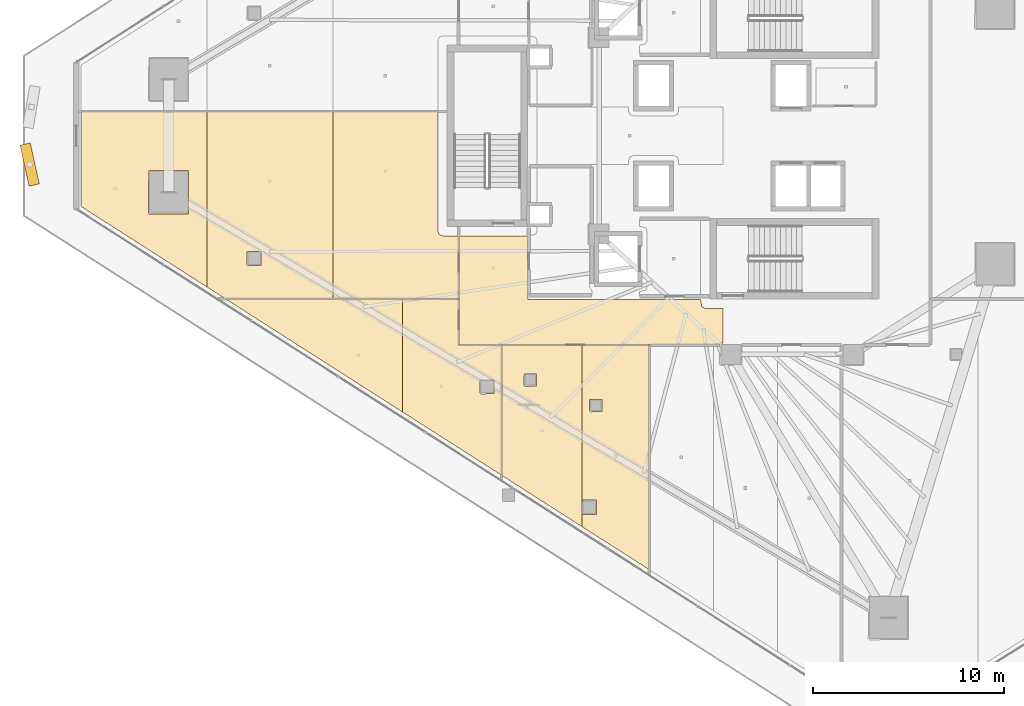
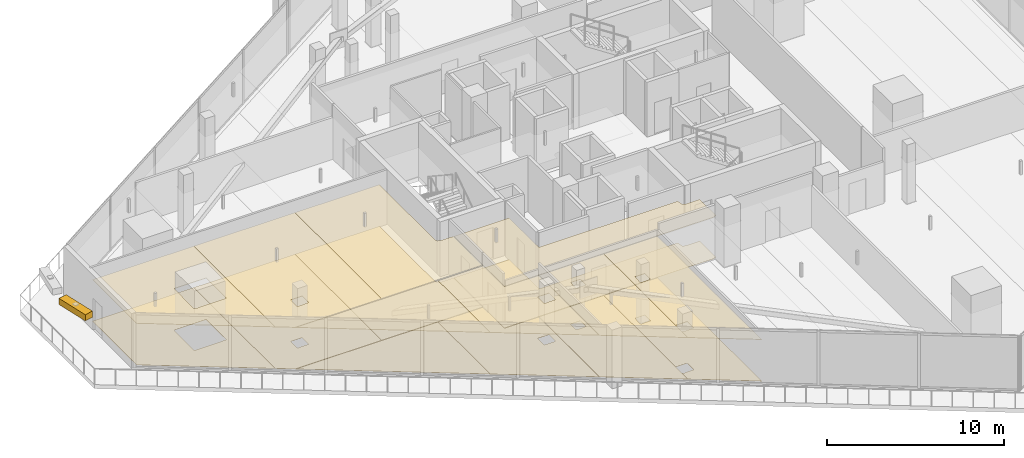
# One storey, part 37 of 45: 16 coverings, 1 shading device.
"""IFC4 building model written with IfcOpenShell, lengths in metres."""

from ifc_helpers import new_model, si_unit, direction, frame, origin, origin_2d, place, context, subcontext, project, spatial, polyline, rectangle, outline, extrude, material, layer, layer_set, type_object, element, save


model = new_model("IFC4")

# Units and contexts
model_context = context("Model", 3, precision=1e-05, world=origin(), true_north=direction((0.0, 1.0)))
body_context = subcontext(model_context, "Body", "Model", "MODEL_VIEW")
ifc_project = project(units=[si_unit("LENGTHUNIT", "METRE"), si_unit("AREAUNIT", "SQUARE_METRE"), si_unit("VOLUMEUNIT", "CUBIC_METRE"), si_unit("PLANEANGLEUNIT", "RADIAN"), si_unit("MASSUNIT", "GRAM", prefix="KILO")], contexts=[model_context])

# Site, building, storey
site_placement = place(None, origin())
site = spatial("IfcSite", under=ifc_project, at=site_placement, CompositionType="ELEMENT")
building_placement = place(site_placement, origin())
building = spatial("IfcBuilding", under=site, at=building_placement, Name="Qorvath Tower", CompositionType="ELEMENT")
storey_placement = place(building_placement, frame((0.0, 0.0, 126.0)))
storey = spatial("IfcBuildingStorey", under=building, at=storey_placement, Name="L28", CompositionType="ELEMENT", Elevation=126.0)

# Coverings
ifc_material_1 = material(Name="Acoustic mineral fibre ceiling tile", Category="gypsum")
ifc_layer_1 = layer(ifc_material_1, 0.030029296875)
ifc_layer_set_1 = layer_set([ifc_layer_1], Name="COV-CEIL")
covering_type_1 = type_object("IfcCoveringType", Name="COV-CEIL", PredefinedType="CEILING", material=ifc_layer_set_1)
covering_1_placement = place(storey_placement, frame((0.0, 0.0, 2.85009765625)))
element("IfcCovering", 1, at=covering_1_placement, inside=storey, type_object=covering_type_1, Name="L28 Suspended Acoustic Ceiling 006", PredefinedType="CEILING", context=body_context, shape_type="SweptSolid", body=[
    extrude(outline(polyline([(-34.22509765625, -8.580078125), (-34.251220703125, -5.239990234375), (-37.844970703125, -5.239990234375), (-37.844970703125, -10.945068359375), (-24.18505859375, -10.945068359375), (-24.125, -10.864990234375), (-24.02001953125, -10.864990234375), (-24.02001953125, -9.0400390625), (-24.93994140625, -9.0400390625), (-25.11669921875, -8.966796875), (-25.18994140625, -8.57421875), (-34.22509765625, -8.580078125)])), origin(), (0.0, 0.0, 1.0), 0.030029296875),
])
covering_2_placement = place(storey_placement, frame((0.0, 0.0, 2.85009765625)))
element("IfcCovering", 2, at=covering_2_placement, inside=storey, type_object=covering_type_1, Name="L28 Suspended Acoustic Ceiling 015", PredefinedType="CEILING", context=body_context, shape_type="SweptSolid", body=[
    extrude(outline(polyline([(-50.07763671875, -8.541015625), (-40.80517578125, -14.4658203125), (-40.80517578125, -8.551513671875), (-50.07763671875, -8.541015625)])), origin(), (0.0, 0.0, 1.0), 0.030029296875),
])
covering_3_placement = place(storey_placement, frame((0.0, 0.0, 2.85009765625)))
element("IfcCovering", 3, at=covering_3_placement, inside=storey, type_object=covering_type_1, Name="L28 Suspended Acoustic Ceiling 016", PredefinedType="CEILING", context=body_context, shape_type="SweptSolid", body=[
    extrude(outline(polyline([(-40.80517578125, -8.551513671875), (-40.80517578125, -14.4658203125), (-35.62060546875, -17.778564453125), (-35.62060546875, -10.962890625), (-37.861572265625, -10.96142578125), (-37.863037109375, -8.554931640625), (-40.80517578125, -8.551513671875)]), holes=[polyline([(-36.749755859375, -13.46044921875), (-36.732177734375, -12.76806640625), (-35.997314453125, -12.76806640625), (-35.997314453125, -13.5029296875), (-36.689697265625, -13.5205078125), (-36.749755859375, -13.46044921875)])]), origin(), (0.0, 0.0, 1.0), 0.030029296875),
])
covering_4_placement = place(storey_placement, frame((0.0, 0.0, 2.85009765625)))
element("IfcCovering", 4, at=covering_4_placement, inside=storey, type_object=covering_type_1, Name="L28 Suspended Acoustic Ceiling 017", PredefinedType="CEILING", context=body_context, shape_type="SweptSolid", body=[
    extrude(outline(polyline([(-35.6025390625, -10.962890625), (-35.6025390625, -17.7900390625), (-31.39306640625, -20.48046875), (-31.39306640625, -19.79345703125), (-31.401123046875, -19.785400390625), (-31.39306640625, -19.46728515625), (-31.39306640625, -10.962890625), (-35.6025390625, -10.962890625)]), holes=[polyline([(-34.439208984375, -13.0673828125), (-34.421630859375, -12.47509765625), (-33.786865234375, -12.47509765625), (-33.786865234375, -13.10986328125), (-34.379150390625, -13.12744140625), (-34.439208984375, -13.0673828125)])]), origin(), (0.0, 0.0, 1.0), 0.030029296875),
])
covering_5_placement = place(storey_placement, frame((0.0, 0.0, 2.85009765625)))
element("IfcCovering", 5, at=covering_5_placement, inside=storey, type_object=covering_type_1, Name="L28 Suspended Acoustic Ceiling 018", PredefinedType="CEILING", context=body_context, shape_type="SweptSolid", body=[
    extrude(outline(polyline([(-31.39306640625, -10.962890625), (-31.39306640625, -19.46728515625), (-31.383544921875, -19.093017578125), (-30.648681640625, -19.093017578125), (-30.648681640625, -19.827880859375), (-31.341064453125, -19.845458984375), (-31.39306640625, -19.79345703125), (-31.39306640625, -20.48046875), (-27.8837890625, -22.723388671875), (-27.8837890625, -10.962890625), (-31.39306640625, -10.962890625)]), holes=[polyline([(-31.01220703125, -14.3994140625), (-30.99462890625, -13.806884765625), (-30.35986328125, -13.806884765625), (-30.35986328125, -14.441650390625), (-30.9521484375, -14.459228515625), (-31.01220703125, -14.3994140625)])]), origin(), (0.0, 0.0, 1.0), 0.030029296875),
])
covering_6_placement = place(storey_placement, frame((0.0, 0.0, 2.85009765625)))
element("IfcCovering", 6, at=covering_6_placement, inside=storey, type_object=covering_type_1, Name="L28 Suspended Acoustic Ceiling 028", PredefinedType="CEILING", context=body_context, shape_type="SweptSolid", body=[
    extrude(outline(polyline([(-51.043701171875, -7.921142578125), (-51.043701171875, 1.26708984375), (-57.634033203125, 1.267333984375), (-57.634033203125, -3.708984375), (-51.043701171875, -7.921142578125)]), holes=[polyline([(-54.109375, -4.05078125), (-54.091796875, -1.808349609375), (-52.007080078125, -1.808349609375), (-52.007080078125, -4.09326171875), (-54.04931640625, -4.11083984375), (-54.109375, -4.05078125)])]), origin(), (0.0, 0.0, 1.0), 0.030029296875),
])
covering_7_placement = place(storey_placement, frame((0.0, 0.0, 2.85009765625)))
element("IfcCovering", 7, at=covering_7_placement, inside=storey, type_object=covering_type_1, Name="L28 Suspended Acoustic Ceiling 029", PredefinedType="CEILING", context=body_context, shape_type="SweptSolid", body=[
    extrude(outline(polyline([(-44.453369140625, -8.53369140625), (-44.453369140625, 1.266845703125), (-51.043701171875, 1.26708984375), (-51.043701171875, -7.921142578125), (-50.08984375, -8.53076171875), (-44.453369140625, -8.53369140625)]), holes=[polyline([(-48.96337890625, -6.74951171875), (-48.94580078125, -6.05712890625), (-48.2109375, -6.05712890625), (-48.2109375, -6.7919921875), (-48.9033203125, -6.8095703125), (-48.96337890625, -6.74951171875)])]), origin(), (0.0, 0.0, 1.0), 0.030029296875),
])
covering_8_placement = place(storey_placement, frame((0.0, 0.0, 2.85009765625)))
element("IfcCovering", 8, at=covering_8_placement, inside=storey, type_object=covering_type_1, Name="L28 Suspended Acoustic Ceiling 030", PredefinedType="CEILING", context=body_context, shape_type="SweptSolid", body=[
    extrude(outline(polyline([(-38.949951171875, 1.2666015625), (-44.453369140625, 1.266845703125), (-44.453369140625, -8.53369140625), (-37.863037109375, -8.537109375), (-37.863037109375, -5.239990234375), (-38.699951171875, -5.239990234375), (-38.876708984375, -5.166748046875), (-38.949951171875, -4.989990234375), (-38.949951171875, 1.2666015625)])), origin(), (0.0, 0.0, 1.0), 0.030029296875),
])
ifc_material_2 = material(Name="Low-VOC modular carpet tile", Category="textile")
ifc_layer_2 = layer(ifc_material_2, 0.014892578125)
ifc_layer_set_2 = layer_set([ifc_layer_2], Name="COV-FLOOR-CPT")
covering_type_2 = type_object("IfcCoveringType", Name="COV-FLOOR-CPT", PredefinedType="FLOORING", material=ifc_layer_set_2)
covering_9_placement = place(storey_placement, origin())
element("IfcCovering", 9, at=covering_9_placement, inside=storey, type_object=covering_type_2, Name="L28 Floor Finish 015", PredefinedType="FLOORING", context=body_context, shape_type="SweptSolid", body=[
    extrude(outline(polyline([(-50.07763671875, -8.541015625), (-40.80517578125, -14.4658203125), (-40.80517578125, -8.551513671875), (-50.07763671875, -8.541015625)])), origin(), (0.0, 0.0, 1.0), 0.014892578125),
])
covering_10_placement = place(storey_placement, origin())
element("IfcCovering", 10, at=covering_10_placement, inside=storey, type_object=covering_type_2, Name="L28 Floor Finish 016", PredefinedType="FLOORING", context=body_context, shape_type="SweptSolid", body=[
    extrude(outline(polyline([(-40.80517578125, -8.551513671875), (-40.80517578125, -14.4658203125), (-35.62060546875, -17.778564453125), (-35.62060546875, -10.962890625), (-37.861572265625, -10.96142578125), (-37.863037109375, -8.554931640625), (-40.80517578125, -8.551513671875)]), holes=[polyline([(-36.749755859375, -13.46044921875), (-36.732177734375, -12.76806640625), (-35.997314453125, -12.76806640625), (-35.997314453125, -13.5029296875), (-36.689697265625, -13.5205078125), (-36.749755859375, -13.46044921875)])]), origin(), (0.0, 0.0, 1.0), 0.014892578125),
])
covering_11_placement = place(storey_placement, origin())
element("IfcCovering", 11, at=covering_11_placement, inside=storey, type_object=covering_type_2, Name="L28 Floor Finish 017", PredefinedType="FLOORING", context=body_context, shape_type="SweptSolid", body=[
    extrude(outline(polyline([(-35.6025390625, -10.962890625), (-35.6025390625, -17.7900390625), (-31.39306640625, -20.48046875), (-31.39306640625, -19.79345703125), (-31.401123046875, -19.785400390625), (-31.39306640625, -19.46728515625), (-31.39306640625, -10.962890625), (-35.6025390625, -10.962890625)]), holes=[polyline([(-34.439208984375, -13.0673828125), (-34.421630859375, -12.47509765625), (-33.786865234375, -12.47509765625), (-33.786865234375, -13.10986328125), (-34.379150390625, -13.12744140625), (-34.439208984375, -13.0673828125)])]), origin(), (0.0, 0.0, 1.0), 0.014892578125),
])
covering_12_placement = place(storey_placement, origin())
element("IfcCovering", 12, at=covering_12_placement, inside=storey, type_object=covering_type_2, Name="L28 Floor Finish 018", PredefinedType="FLOORING", context=body_context, shape_type="SweptSolid", body=[
    extrude(outline(polyline([(-31.39306640625, -10.962890625), (-31.39306640625, -19.46728515625), (-31.383544921875, -19.093017578125), (-30.648681640625, -19.093017578125), (-30.648681640625, -19.827880859375), (-31.341064453125, -19.845458984375), (-31.39306640625, -19.79345703125), (-31.39306640625, -20.48046875), (-27.8837890625, -22.723388671875), (-27.8837890625, -10.962890625), (-31.39306640625, -10.962890625)]), holes=[polyline([(-31.01220703125, -14.3994140625), (-30.99462890625, -13.806884765625), (-30.35986328125, -13.806884765625), (-30.35986328125, -14.441650390625), (-30.9521484375, -14.459228515625), (-31.01220703125, -14.3994140625)])]), origin(), (0.0, 0.0, 1.0), 0.014892578125),
])
covering_13_placement = place(storey_placement, origin())
element("IfcCovering", 13, at=covering_13_placement, inside=storey, type_object=covering_type_2, Name="L28 Floor Finish 028", PredefinedType="FLOORING", context=body_context, shape_type="SweptSolid", body=[
    extrude(outline(polyline([(-51.043701171875, -7.921142578125), (-51.043701171875, 1.26708984375), (-57.634033203125, 1.267333984375), (-57.634033203125, -3.708984375), (-51.043701171875, -7.921142578125)]), holes=[polyline([(-54.109375, -4.05078125), (-54.091796875, -1.808349609375), (-52.007080078125, -1.808349609375), (-52.007080078125, -4.09326171875), (-54.04931640625, -4.11083984375), (-54.109375, -4.05078125)])]), origin(), (0.0, 0.0, 1.0), 0.014892578125),
])
covering_14_placement = place(storey_placement, origin())
element("IfcCovering", 14, at=covering_14_placement, inside=storey, type_object=covering_type_2, Name="L28 Floor Finish 029", PredefinedType="FLOORING", context=body_context, shape_type="SweptSolid", body=[
    extrude(outline(polyline([(-44.453369140625, -8.53369140625), (-44.453369140625, 1.266845703125), (-51.043701171875, 1.26708984375), (-51.043701171875, -7.921142578125), (-50.08984375, -8.53076171875), (-44.453369140625, -8.53369140625)]), holes=[polyline([(-48.96337890625, -6.74951171875), (-48.94580078125, -6.05712890625), (-48.2109375, -6.05712890625), (-48.2109375, -6.7919921875), (-48.9033203125, -6.8095703125), (-48.96337890625, -6.74951171875)])]), origin(), (0.0, 0.0, 1.0), 0.014892578125),
])
covering_15_placement = place(storey_placement, origin())
element("IfcCovering", 15, at=covering_15_placement, inside=storey, type_object=covering_type_2, Name="L28 Floor Finish 030", PredefinedType="FLOORING", context=body_context, shape_type="SweptSolid", body=[
    extrude(outline(polyline([(-38.949951171875, 1.2666015625), (-44.453369140625, 1.266845703125), (-44.453369140625, -8.53369140625), (-37.863037109375, -8.537109375), (-37.863037109375, -5.239990234375), (-38.699951171875, -5.239990234375), (-38.876708984375, -5.166748046875), (-38.949951171875, -4.989990234375), (-38.949951171875, 1.2666015625)])), origin(), (0.0, 0.0, 1.0), 0.014892578125),
])
ifc_material_3 = material(Name="Polished epoxy terrazzo flooring", Category="concrete")
ifc_layer_3 = layer(ifc_material_3, 0.02001953125)
ifc_layer_set_3 = layer_set([ifc_layer_3], Name="COV-FLOOR-TRZ")
covering_type_3 = type_object("IfcCoveringType", Name="COV-FLOOR-TRZ", PredefinedType="FLOORING", material=ifc_layer_set_3)
covering_16_placement = place(storey_placement, origin())
element("IfcCovering", 16, at=covering_16_placement, inside=storey, type_object=covering_type_3, Name="L28 Floor Finish 006", PredefinedType="FLOORING", context=body_context, shape_type="SweptSolid", body=[
    extrude(outline(polyline([(-34.22509765625, -8.580078125), (-34.251220703125, -5.239990234375), (-37.844970703125, -5.239990234375), (-37.844970703125, -10.945068359375), (-24.18505859375, -10.945068359375), (-24.125, -10.864990234375), (-24.02001953125, -10.864990234375), (-24.02001953125, -9.0400390625), (-24.93994140625, -9.0400390625), (-25.11669921875, -8.966796875), (-25.18994140625, -8.57421875), (-34.22509765625, -8.580078125)])), origin(), (0.0, 0.0, 1.0), 0.014892578125),
])

# Shading device
ifc_material_4 = material(Name="Anodised bronze-champagne aluminium", Category="aluminium")
shading_device_type = type_object("IfcShadingDeviceType", Name="SD-LOUVRE", PredefinedType="JALOUSIE", material=ifc_material_4)
shading_device_placement = place(storey_placement, frame((-60.33251953125, -1.505615234375, 3.35009765625), z_axis=(0.0, 0.0, 1.0), x_axis=(0.217371580175, -0.976088928393, 0.0)))
element("IfcShadingDevice", 17, at=shading_device_placement, inside=storey, type_object=shading_device_type, Name="Sinusoidal Wave Louvre Blade L28-02", PredefinedType="NOTDEFINED", context=body_context, shape_type="SweptSolid", body=[
    extrude(rectangle(XDim=2.199951171875, YDim=0.550048828125, at=origin_2d()), origin(), (0.0, 0.0, 1.0), 0.419921875),
])

save(model, "model.ifc")
